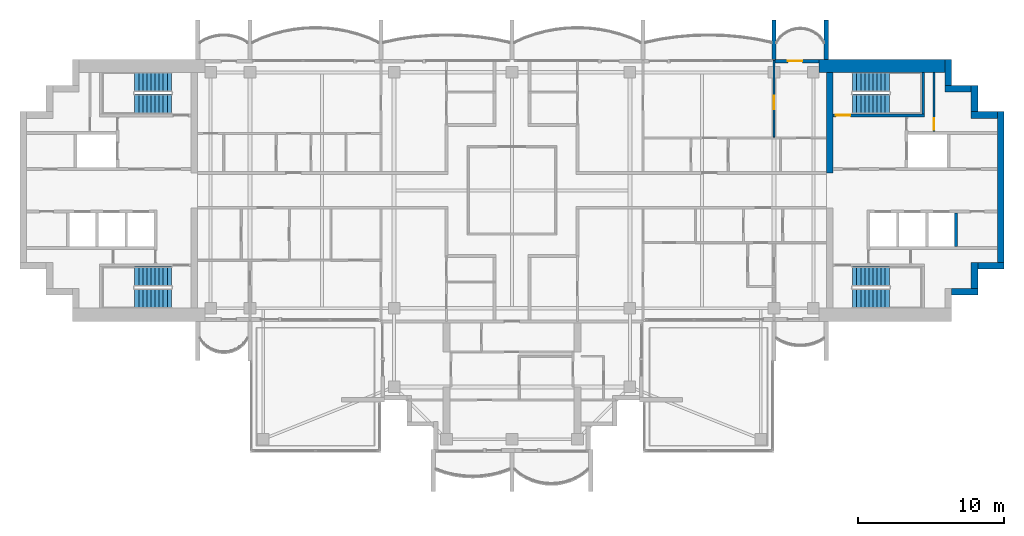
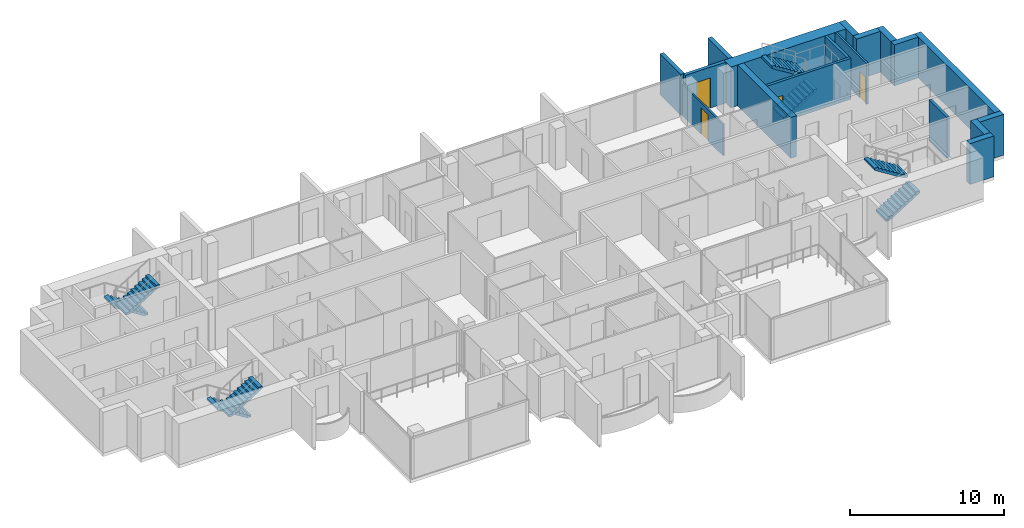
# One storey, part 12 of 16: 18 walls, 8 stair flights, 4 doors, 4 openings, 4 elements without a shape of their own.
"""IFC4 building model written with IfcOpenShell, lengths in metres."""

from ifc_helpers import new_model, si_unit, direction, frame, frame_2d, origin, place, context, subcontext, project, spatial, polyline, rectangle, outline, extrude, material, layer, layer_set, type_object, element, fill, aggregate, save


model = new_model("IFC4")

# Units and contexts
model_context = context("Model", 3, precision=1e-05, world=origin(), true_north=direction((0.0, 1.0)))
body_context = subcontext(model_context, "Body", "Model", "MODEL_VIEW")
ifc_project = project(units=[si_unit("LENGTHUNIT", "METRE"), si_unit("AREAUNIT", "SQUARE_METRE"), si_unit("VOLUMEUNIT", "CUBIC_METRE"), si_unit("PLANEANGLEUNIT", "RADIAN"), si_unit("MASSUNIT", "GRAM", prefix="KILO")], contexts=[model_context])

# Site, building, storey
site_placement = place(None, origin())
site = spatial("IfcSite", under=ifc_project, at=site_placement, CompositionType="ELEMENT")
building_placement = place(site_placement, origin())
building = spatial("IfcBuilding", under=site, at=building_placement, Name="Perihelion Cross Residences", CompositionType="ELEMENT")
storey_placement = place(building_placement, frame((0.0, 0.0, 257.0)))
storey = spatial("IfcBuildingStorey", under=building, at=storey_placement, Name="L65", CompositionType="ELEMENT", Elevation=257.0)

# Wall, opening, door
ifc_material_1 = material(Name="Concrete C30/37, bronze-clad", Category="concrete")
ifc_layer_1 = layer(ifc_material_1, 0.25)
ifc_layer_set_1 = layer_set([ifc_layer_1], Name="Bronze-clad pier wall 250")
wall_type_1 = type_object("IfcWallType", Name="Bronze-clad pier wall 250", PredefinedType="SOLIDWALL", material=ifc_layer_set_1)
wall_1_placement = place(storey_placement, frame((21.10009765625, 8.875, 0.0), z_axis=(0.0, 0.0, 1.0), x_axis=(-1.0, 0.0, 0.0)))
wall_1 = element("IfcWall", 1, at=wall_1_placement, inside=storey, type_object=wall_type_1, Name="Wall FW1 L65 east side north bay 1 pier", PredefinedType="SOLIDWALL", context=body_context, shape_type="SweptSolid", body=[
    extrude(rectangle(XDim=3.0400390625, YDim=0.25, at=frame_2d((1.52001953125, 0.0))), origin(), (0.0, 0.0, 1.0), 3.25),
])
opening_1_placement = place(wall_1_placement, frame((1.14990234375, 0.0, 0.0)))
opening_1 = element("IfcOpeningElement", 2, at=opening_1_placement, cuts=wall_1, Name="Opening L65.E01", PredefinedType="OPENING", context=body_context, shape_type="SweptSolid", body=[
    extrude(rectangle(XDim=1.0, YDim=2.39990234375, at=frame_2d((0.5, 1.199951171875))), frame((0.0, 0.135009765625, 0.0), z_axis=(0.0, -1.0, 0.0), x_axis=(1.0, 0.0, 0.0)), (0.0, 0.0, 1.0), 0.27001953125),
])
ifc_material_2 = material(Name="Bronze anodised aluminium, glazed", Category="aluminium")
door_type_1 = type_object("IfcDoorType", Name="Balcony door 1000 x 2400", OperationType="NOTDEFINED", PredefinedType="DOOR", material=ifc_material_2)
door_1_placement = place(opening_1_placement, origin())
door_1 = element("IfcDoor", 3, at=door_1_placement, inside=storey, type_object=door_type_1, Name="Door L65.E01 east side north bay 1", OperationType="SINGLE_SWING_LEFT", OverallHeight=2.39990234375, OverallWidth=1.0, PredefinedType="DOOR", context=body_context, shape_type="SweptSolid", body=[
    extrude(rectangle(XDim=1.0, YDim=2.39990234375, at=frame_2d((0.5, 1.199951171875))), frame((0.0, 0.02490234375, 0.0), z_axis=(0.0, -1.0, 0.0), x_axis=(1.0, 0.0, 0.0)), (0.0, 0.0, 1.0), 0.050048828125),
])
fill(opening_1, door_1)

# Walls
ifc_material_3 = material(Name="Concrete C60/75", Category="concrete")
ifc_layer_2 = layer(ifc_material_3, 0.449951171875)
ifc_layer_set_2 = layer_set([ifc_layer_2], Name="Core wall, inner 450")
wall_type_2 = type_object("IfcWallType", Name="Core wall, inner 450", PredefinedType="SHEAR", material=ifc_layer_set_2)
wall_2_placement = place(storey_placement, frame((21.824951171875, 1.199951171875, 0.0), z_axis=(0.0, 0.0, 1.0), x_axis=(0.0, 1.0, 0.0)))
element("IfcWall", 4, at=wall_2_placement, inside=storey, type_object=wall_type_2, Name="East core core wall, inner", PredefinedType="SHEAR", context=body_context, shape_type="SweptSolid", body=[
    extrude(rectangle(XDim=6.900146484375, YDim=0.449951171875, at=frame_2d((3.4501953125, 0.0))), origin(), (0.0, 0.0, 1.0), 3.25),
])
ifc_material_4 = material(Name="Concrete C60/75", Category="concrete")
ifc_layer_3 = layer(ifc_material_4, 0.449951171875)
ifc_layer_set_3 = layer_set([ifc_layer_3], Name="Core wall, outer 450")
wall_type_3 = type_object("IfcWallType", Name="Core wall, outer 450", PredefinedType="SHEAR", material=ifc_layer_set_3)
for number, where, z_axis, x_axis, name in (
    (5, (30.199951171875, -6.97509765625, 0.0), (0.0, 0.0, 1.0), (1.0, 0.0, 0.0), "East core core wall, outer"),
    (6, (31.77490234375, -6.75, 0.0), (0.0, 0.0, 1.0), (0.0, 1.0, 0.0), "East core core wall, outer"),
    (7, (32.0, -5.175048828125, 0.0), (0.0, 0.0, 1.0), (1.0, 0.0, 0.0), "East core core wall, outer"),
):
    element("IfcWall", number, at=place(storey_placement, frame(where, z_axis=z_axis, x_axis=x_axis)), inside=storey, type_object=wall_type_3, Name=name, PredefinedType="SHEAR", context=body_context, shape_type="SweptSolid", body=[
        extrude(rectangle(XDim=1.800048828125, YDim=0.449951171875, at=frame_2d((0.89990234375, 0.0))), origin(), (0.0, 0.0, 1.0), 3.25),
    ])
wall_3_placement = place(storey_placement, frame((33.574951171875, -4.949951171875, 0.0), z_axis=(0.0, 0.0, 1.0), x_axis=(0.0, 1.0, 0.0)))
element("IfcWall", 8, at=wall_3_placement, inside=storey, type_object=wall_type_3, Name="East core core wall, outer", PredefinedType="SHEAR", context=body_context, shape_type="SweptSolid", body=[
    extrude(rectangle(XDim=10.349853515625, YDim=0.449951171875, at=frame_2d((5.1748046875, 0.0))), origin(), (0.0, 0.0, 1.0), 3.25),
])
for number, where, z_axis, x_axis, name in (
    (9, (31.550048828125, 5.175048828125, 0.0), (0.0, 0.0, 1.0), (1.0, 0.0, 0.0), "East core core wall, outer"),
    (10, (31.77490234375, 5.39990234375, 0.0), (0.0, 0.0, 1.0), (0.0, 1.0, 0.0), "East core core wall, outer"),
    (11, (29.75, 6.97509765625, 0.0), (0.0, 0.0, 1.0), (1.0, 0.0, 0.0), "East core core wall, outer"),
    (12, (29.97509765625, 7.199951171875, 0.0), (0.0, 0.0, 1.0), (0.0, 1.0, 0.0), "East core core wall, outer"),
):
    element("IfcWall", number, at=place(storey_placement, frame(where, z_axis=z_axis, x_axis=x_axis)), inside=storey, type_object=wall_type_3, Name=name, PredefinedType="SHEAR", context=body_context, shape_type="SweptSolid", body=[
        extrude(rectangle(XDim=1.800048828125, YDim=0.449951171875, at=frame_2d((0.89990234375, 0.0))), origin(), (0.0, 0.0, 1.0), 3.25),
    ])
ifc_material_5 = material(Name="Concrete C60/75", Category="concrete")
ifc_layer_4 = layer(ifc_material_5, 0.89990234375)
ifc_layer_set_4 = layer_set([ifc_layer_4], Name="Core wall, outer 900")
wall_type_4 = type_object("IfcWallType", Name="Core wall, outer 900", PredefinedType="SHEAR", material=ifc_layer_set_4)
wall_4_placement = place(storey_placement, frame((21.10009765625, 8.550048828125, 0.0), z_axis=(0.0, 0.0, 1.0), x_axis=(1.0, 0.0, 0.0)))
element("IfcWall", 13, at=wall_4_placement, inside=storey, type_object=wall_type_4, Name="East core core wall, outer", PredefinedType="SHEAR", context=body_context, shape_type="SweptSolid", body=[
    extrude(rectangle(XDim=8.64990234375, YDim=0.89990234375, at=frame_2d((4.324951171875, 0.0))), origin(), (0.0, 0.0, 1.0), 3.25),
])

# Wall, opening, door
ifc_material_6 = material(Name="Plasterboard partition")
ifc_layer_5 = layer(ifc_material_6, 0.1201171875)
ifc_layer_set_5 = layer_set([ifc_layer_5], Name="Partition wall 120")
wall_type_5 = type_object("IfcWallType", Name="Partition wall 120", PredefinedType="PARTITIONING", material=ifc_layer_set_5)
wall_5_placement = place(storey_placement, frame((18.0, 8.919921875, 0.0), z_axis=(0.0, 0.0, 1.0), x_axis=(0.0, -1.0, 0.0)))
wall_5 = element("IfcWall", 14, at=wall_5_placement, inside=storey, type_object=wall_type_5, Name="Partition L65 W028", PredefinedType="PARTITIONING", context=body_context, shape_type="SweptSolid", body=[
    extrude(rectangle(XDim=5.260009765625, YDim=0.1201171875, at=frame_2d((2.6298828125, 0.0))), origin(), (0.0, 0.0, 1.0), 2.49609375),
])
opening_2_placement = place(wall_5_placement, frame((2.43994140625, 0.0, 0.0)))
opening_2 = element("IfcOpeningElement", 15, at=opening_2_placement, cuts=wall_5, Name="Opening L65.A08", PredefinedType="OPENING", context=body_context, shape_type="SweptSolid", body=[
    extrude(rectangle(XDim=0.89990234375, YDim=2.10009765625, at=frame_2d((0.449951171875, 1.050048828125))), frame((0.0, 0.070068359375, 0.0), z_axis=(0.0, -1.0, 0.0), x_axis=(1.0, 0.0, 0.0)), (0.0, 0.0, 1.0), 0.14013671875),
])
ifc_material_7 = material(Name="Timber door leaf", Category="wood")
door_type_2 = type_object("IfcDoorType", Name="Interior room door 900 x 2100", OperationType="SINGLE_SWING_LEFT", PredefinedType="DOOR", material=ifc_material_7)
door_2_placement = place(opening_2_placement, origin())
door_2 = element("IfcDoor", 16, at=door_2_placement, inside=storey, type_object=door_type_2, Name="Door L65.A08", OperationType="SINGLE_SWING_LEFT", OverallHeight=2.10009765625, OverallWidth=0.89990234375, PredefinedType="DOOR", context=body_context, shape_type="SweptSolid", body=[
    extrude(rectangle(XDim=0.89990234375, YDim=2.10009765625, at=frame_2d((0.449951171875, 1.050048828125))), frame((0.0, 0.02490234375, 0.0), z_axis=(0.0, -1.0, 0.0), x_axis=(1.0, 0.0, 0.0)), (0.0, 0.0, 1.0), 0.050048828125),
])
fill(opening_2, door_2)

# Walls
ifc_material_8 = material(Name="Precast concrete C50/60", Category="concrete")
ifc_layer_6 = layer(ifc_material_8, 0.300048828125)
ifc_layer_set_6 = layer_set([ifc_layer_6], Name="Precast concrete C50/60 blade wall 300")
wall_type_6 = type_object("IfcWallType", Name="Precast concrete C50/60 blade wall 300", PredefinedType="SOLIDWALL", material=ifc_layer_set_6)
for number, where, z_axis, x_axis, name in (
    (17, (18.0, 9.0, 0.0), (0.0, 0.0, 1.0), (0.0, 1.0, 0.0), "Wall BL1 L65 no. 11"),
    (18, (21.60009765625, 9.0, 0.0), (0.0, 0.0, 1.0), (0.0, 1.0, 0.0), "Wall BL1 L65 no. 13"),
):
    element("IfcWall", number, at=place(storey_placement, frame(where, z_axis=z_axis, x_axis=x_axis)), inside=storey, type_object=wall_type_6, Name=name, PredefinedType="SOLIDWALL", context=body_context, shape_type="SweptSolid", body=[
        extrude(rectangle(XDim=2.699951171875, YDim=0.300048828125, at=frame_2d((1.35009765625, 0.0))), origin(), (0.0, 0.0, 1.0), 3.25),
    ])

# Wall, opening, door
ifc_material_9 = material(Name="Fire-rated board on steel stud", Category="steel")
ifc_layer_7 = layer(ifc_material_9, 0.14990234375)
ifc_layer_set_7 = layer_set([ifc_layer_7], Name="Riser wall 150")
wall_type_7 = type_object("IfcWallType", Name="Riser wall 150", PredefinedType="PARTITIONING", material=ifc_layer_set_7)
wall_6_placement = place(storey_placement, frame((29.0, 4.050048828125, 0.0), z_axis=(0.0, 0.0, 1.0), x_axis=(0.0, 1.0, 0.0)))
wall_6 = element("IfcWall", 19, at=wall_6_placement, inside=storey, type_object=wall_type_7, Name="East core riser wall", PredefinedType="PARTITIONING", context=body_context, shape_type="SweptSolid", body=[
    extrude(rectangle(XDim=4.050048828125, YDim=0.14990234375, at=frame_2d((2.02490234375, 0.0))), origin(), (0.0, 0.0, 1.0), 3.25),
])
opening_3_placement = place(wall_6_placement, frame((0.10009765625, 0.0, 0.0)))
opening_3 = element("IfcOpeningElement", 20, at=opening_3_placement, cuts=wall_6, Name="Opening L65.C12", PredefinedType="OPENING", context=body_context, shape_type="SweptSolid", body=[
    extrude(rectangle(XDim=0.800048828125, YDim=2.10009765625, at=frame_2d((0.39990234375, 1.050048828125))), frame((0.0, 0.0849609375, 0.0), z_axis=(0.0, -1.0, 0.0), x_axis=(1.0, 0.0, 0.0)), (0.0, 0.0, 1.0), 0.169921875),
])
ifc_material_10 = material(Name="Steel, powder coated", Category="steel")
door_type_3 = type_object("IfcDoorType", Name="Riser door 800", OperationType="SINGLE_SWING_LEFT", PredefinedType="DOOR", material=ifc_material_10)
door_3_placement = place(opening_3_placement, origin())
door_3 = element("IfcDoor", 21, at=door_3_placement, inside=storey, type_object=door_type_3, Name="East core riser door", OperationType="SINGLE_SWING_LEFT", OverallHeight=2.10009765625, OverallWidth=0.800048828125, PredefinedType="DOOR", context=body_context, shape_type="SweptSolid", body=[
    extrude(rectangle(XDim=0.800048828125, YDim=2.10009765625, at=frame_2d((0.39990234375, 1.050048828125))), frame((0.0, 0.02490234375, 0.0), z_axis=(0.0, -1.0, 0.0), x_axis=(1.0, 0.0, 0.0)), (0.0, 0.0, 1.0), 0.050048828125),
])
fill(opening_3, door_3)

# Wall
ifc_material_11 = material(Name="Concrete C50/60", Category="concrete")
ifc_layer_8 = layer(ifc_material_11, 0.199951171875)
ifc_layer_set_8 = layer_set([ifc_layer_8], Name="Shaft wall 200")
wall_type_8 = type_object("IfcWallType", Name="Shaft wall 200", PredefinedType="SOLIDWALL", material=ifc_layer_set_8)
wall_7_placement = place(storey_placement, frame((30.5, -3.85009765625, 0.0), z_axis=(0.0, 0.0, 1.0), x_axis=(0.0, 1.0, 0.0)))
element("IfcWall", 22, at=wall_7_placement, inside=storey, type_object=wall_type_8, Name="East core shaft wall", PredefinedType="SOLIDWALL", context=body_context, shape_type="SweptSolid", body=[
    extrude(rectangle(XDim=2.300048828125, YDim=0.199951171875, at=frame_2d((1.14990234375, 0.0))), origin(), (0.0, 0.0, 1.0), 3.25),
])

# Wall, opening, door
ifc_material_12 = material(Name="Concrete C50/60", Category="concrete")
ifc_layer_9 = layer(ifc_material_12, 0.199951171875)
ifc_layer_set_9 = layer_set([ifc_layer_9], Name="Stair wall 200")
wall_type_9 = type_object("IfcWallType", Name="Stair wall 200", PredefinedType="SOLIDWALL", material=ifc_layer_set_9)
wall_8_placement = place(storey_placement, frame((22.050048828125, 5.14990234375, 0.0), z_axis=(0.0, 0.0, 1.0), x_axis=(1.0, 0.0, 0.0)))
wall_8 = element("IfcWall", 23, at=wall_8_placement, inside=storey, type_object=wall_type_9, Name="East core stair wall", PredefinedType="SOLIDWALL", context=body_context, shape_type="SweptSolid", body=[
    extrude(rectangle(XDim=6.300048828125, YDim=0.199951171875, at=frame_2d((3.14990234375, 0.0))), origin(), (0.0, 0.0, 1.0), 3.25),
])
opening_4_placement = place(wall_8_placement, frame((0.199951171875, 0.0, 0.0)))
opening_4 = element("IfcOpeningElement", 24, at=opening_4_placement, cuts=wall_8, Name="Opening L65.C06", PredefinedType="OPENING", context=body_context, shape_type="SweptSolid", body=[
    extrude(rectangle(XDim=1.0, YDim=2.10009765625, at=frame_2d((0.5, 1.050048828125))), frame((0.0, 0.10986328125, 0.0), z_axis=(0.0, -1.0, 0.0), x_axis=(1.0, 0.0, 0.0)), (0.0, 0.0, 1.0), 0.219970703125),
])
ifc_material_13 = material(Name="Steel, powder coated", Category="steel")
door_type_4 = type_object("IfcDoorType", Name="Stair door 1000", OperationType="SINGLE_SWING_LEFT", PredefinedType="DOOR", material=ifc_material_13)
door_4_placement = place(opening_4_placement, origin())
door_4 = element("IfcDoor", 25, at=door_4_placement, inside=storey, type_object=door_type_4, Name="East core stair door", OperationType="SINGLE_SWING_LEFT", OverallHeight=2.10009765625, OverallWidth=1.0, PredefinedType="DOOR", context=body_context, shape_type="SweptSolid", body=[
    extrude(rectangle(XDim=1.0, YDim=2.10009765625, at=frame_2d((0.5, 1.050048828125))), frame((0.0, 0.02490234375, 0.0), z_axis=(0.0, -1.0, 0.0), x_axis=(1.0, 0.0, 0.0)), (0.0, 0.0, 1.0), 0.050048828125),
])
fill(opening_4, door_4)

# Wall
wall_9_placement = place(storey_placement, frame((28.25, 5.25, 0.0), z_axis=(0.0, 0.0, 1.0), x_axis=(0.0, 1.0, 0.0)))
element("IfcWall", 26, at=wall_9_placement, inside=storey, type_object=wall_type_9, Name="East core stair wall", PredefinedType="SOLIDWALL", context=body_context, shape_type="SweptSolid", body=[
    extrude(rectangle(XDim=2.85009765625, YDim=0.199951171875, at=frame_2d((1.425048828125, 0.0))), origin(), (0.0, 0.0, 1.0), 3.25),
])

# Stair, stair flights
ifc_material_14 = material(Name="Concrete C40/50", Category="concrete")
stair_type = type_object("IfcStairType", Name="Exit stair, half-turn", PredefinedType="HALF_TURN_STAIR", material=ifc_material_14)
stair_1_placement = place(storey_placement, origin())
stair_1 = element("IfcStair", 27, at=stair_1_placement, inside=storey, type_object=stair_type, Name="L65 East core exit stair 1", PredefinedType="HALF_TURN_STAIR")
ifc_material_15 = material(Name="Concrete C40/50", Category="concrete")
stair_flight_type = type_object("IfcStairFlightType", Name="Exit stair flight", PredefinedType="STRAIGHT", material=ifc_material_15)
stair_flight_1_placement = place(storey_placement, frame((23.39990234375, 5.925048828125, 0.0), z_axis=(0.0, 0.0, 1.0), x_axis=(1.0, 0.0, 0.0)))
stair_flight_1 = element("IfcStairFlight", 28, at=stair_flight_1_placement, type_object=stair_flight_type, Name="ST-E1 flight 1", NumberOfRisers=10, NumberOfTreads=9, PredefinedType="STRAIGHT", RiserHeight=0.175, TreadLength=0.28, context=body_context, shape_type="SweptSolid", body=[
    extrude(outline(polyline([(0.0, 0.0), (0.0, 0.175048828125), (0.280029296875, 0.175048828125), (0.280029296875, 0.35009765625), (0.56005859375, 0.35009765625), (0.56005859375, 0.52490234375), (0.840087890625, 0.52490234375), (0.840087890625, 0.699951171875), (1.1201171875, 0.699951171875), (1.1201171875, 0.875), (1.39990234375, 0.875), (1.39990234375, 1.050048828125), (1.679931640625, 1.050048828125), (1.679931640625, 1.22509765625), (1.9599609375, 1.22509765625), (1.9599609375, 1.39990234375), (2.239990234375, 1.39990234375), (2.239990234375, 1.574951171875), (2.52001953125, 1.574951171875), (2.52001953125, 1.75), (2.52001953125, 1.398193359375), (0.28271484375, 0.0), (0.0, 0.0)])), frame((0.0, 0.675048828125, 0.0), z_axis=(0.0, -1.0, 0.0), x_axis=(1.0, 0.0, 0.0)), (0.0, 0.0, 1.0), 1.35009765625),
])
stair_flight_2_placement = place(storey_placement, frame((25.919921875, 7.425048828125, 1.75), z_axis=(0.0, 0.0, 1.0), x_axis=(-1.0, 0.0, 0.0)))
stair_flight_2 = element("IfcStairFlight", 29, at=stair_flight_2_placement, type_object=stair_flight_type, Name="ST-E1 flight 2", NumberOfRisers=10, NumberOfTreads=9, PredefinedType="STRAIGHT", RiserHeight=0.175, TreadLength=0.28, context=body_context, shape_type="SweptSolid", body=[
    extrude(outline(polyline([(0.0, 0.0), (0.0, 0.175048828125), (0.280029296875, 0.175048828125), (0.280029296875, 0.35009765625), (0.56005859375, 0.35009765625), (0.56005859375, 0.52490234375), (0.840087890625, 0.52490234375), (0.840087890625, 0.699951171875), (1.1201171875, 0.699951171875), (1.1201171875, 0.875), (1.39990234375, 0.875), (1.39990234375, 1.050048828125), (1.679931640625, 1.050048828125), (1.679931640625, 1.22509765625), (1.9599609375, 1.22509765625), (1.9599609375, 1.39990234375), (2.239990234375, 1.39990234375), (2.239990234375, 1.574951171875), (2.52001953125, 1.574951171875), (2.52001953125, 1.75), (2.52001953125, 1.398193359375), (0.28271484375, 0.0), (0.0, 0.0)])), frame((0.0, 0.675048828125, 0.0), z_axis=(0.0, -1.0, 0.0), x_axis=(1.0, 0.0, 0.0)), (0.0, 0.0, 1.0), 1.35009765625),
])
aggregate(stair_1, [stair_flight_1, stair_flight_2])

stair_2_placement = place(storey_placement, origin())
stair_2 = element("IfcStair", 30, at=stair_2_placement, inside=storey, type_object=stair_type, Name="L65 East core exit stair 2", PredefinedType="HALF_TURN_STAIR")
stair_flight_3_placement = place(storey_placement, frame((23.39990234375, -7.425048828125, 0.0), z_axis=(0.0, 0.0, 1.0), x_axis=(1.0, 0.0, 0.0)))
stair_flight_3 = element("IfcStairFlight", 31, at=stair_flight_3_placement, type_object=stair_flight_type, Name="ST-E2 flight 1", NumberOfRisers=10, NumberOfTreads=9, PredefinedType="STRAIGHT", RiserHeight=0.175, TreadLength=0.28, context=body_context, shape_type="SweptSolid", body=[
    extrude(outline(polyline([(0.0, 0.0), (0.0, 0.175048828125), (0.280029296875, 0.175048828125), (0.280029296875, 0.35009765625), (0.56005859375, 0.35009765625), (0.56005859375, 0.52490234375), (0.840087890625, 0.52490234375), (0.840087890625, 0.699951171875), (1.1201171875, 0.699951171875), (1.1201171875, 0.875), (1.39990234375, 0.875), (1.39990234375, 1.050048828125), (1.679931640625, 1.050048828125), (1.679931640625, 1.22509765625), (1.9599609375, 1.22509765625), (1.9599609375, 1.39990234375), (2.239990234375, 1.39990234375), (2.239990234375, 1.574951171875), (2.52001953125, 1.574951171875), (2.52001953125, 1.75), (2.52001953125, 1.398193359375), (0.28271484375, 0.0), (0.0, 0.0)])), frame((0.0, 0.675048828125, 0.0), z_axis=(0.0, -1.0, 0.0), x_axis=(1.0, 0.0, 0.0)), (0.0, 0.0, 1.0), 1.35009765625),
])
stair_flight_4_placement = place(storey_placement, frame((25.919921875, -5.925048828125, 1.75), z_axis=(0.0, 0.0, 1.0), x_axis=(-1.0, 0.0, 0.0)))
stair_flight_4 = element("IfcStairFlight", 32, at=stair_flight_4_placement, type_object=stair_flight_type, Name="ST-E2 flight 2", NumberOfRisers=10, NumberOfTreads=9, PredefinedType="STRAIGHT", RiserHeight=0.175, TreadLength=0.28, context=body_context, shape_type="SweptSolid", body=[
    extrude(outline(polyline([(0.0, 0.0), (0.0, 0.175048828125), (0.280029296875, 0.175048828125), (0.280029296875, 0.35009765625), (0.56005859375, 0.35009765625), (0.56005859375, 0.52490234375), (0.840087890625, 0.52490234375), (0.840087890625, 0.699951171875), (1.1201171875, 0.699951171875), (1.1201171875, 0.875), (1.39990234375, 0.875), (1.39990234375, 1.050048828125), (1.679931640625, 1.050048828125), (1.679931640625, 1.22509765625), (1.9599609375, 1.22509765625), (1.9599609375, 1.39990234375), (2.239990234375, 1.39990234375), (2.239990234375, 1.574951171875), (2.52001953125, 1.574951171875), (2.52001953125, 1.75), (2.52001953125, 1.398193359375), (0.28271484375, 0.0), (0.0, 0.0)])), frame((0.0, 0.675048828125, 0.0), z_axis=(0.0, -1.0, 0.0), x_axis=(1.0, 0.0, 0.0)), (0.0, 0.0, 1.0), 1.35009765625),
])
aggregate(stair_2, [stair_flight_3, stair_flight_4])

stair_3_placement = place(storey_placement, origin())
stair_3 = element("IfcStair", 33, at=stair_3_placement, inside=storey, type_object=stair_type, Name="L65 West core exit stair 1", PredefinedType="HALF_TURN_STAIR")
stair_flight_5_placement = place(storey_placement, frame((-23.39990234375, 7.425048828125, 0.0), z_axis=(0.0, 0.0, 1.0), x_axis=(-1.0, 0.0, 0.0)))
stair_flight_5 = element("IfcStairFlight", 34, at=stair_flight_5_placement, type_object=stair_flight_type, Name="ST-W1 flight 1", NumberOfRisers=10, NumberOfTreads=9, PredefinedType="STRAIGHT", RiserHeight=0.175, TreadLength=0.28, context=body_context, shape_type="SweptSolid", body=[
    extrude(outline(polyline([(0.0, 0.0), (0.0, 0.175048828125), (0.280029296875, 0.175048828125), (0.280029296875, 0.35009765625), (0.56005859375, 0.35009765625), (0.56005859375, 0.52490234375), (0.840087890625, 0.52490234375), (0.840087890625, 0.699951171875), (1.1201171875, 0.699951171875), (1.1201171875, 0.875), (1.39990234375, 0.875), (1.39990234375, 1.050048828125), (1.679931640625, 1.050048828125), (1.679931640625, 1.22509765625), (1.9599609375, 1.22509765625), (1.9599609375, 1.39990234375), (2.239990234375, 1.39990234375), (2.239990234375, 1.574951171875), (2.52001953125, 1.574951171875), (2.52001953125, 1.75), (2.52001953125, 1.398193359375), (0.28271484375, 0.0), (0.0, 0.0)])), frame((0.0, 0.675048828125, 0.0), z_axis=(0.0, -1.0, 0.0), x_axis=(1.0, 0.0, 0.0)), (0.0, 0.0, 1.0), 1.35009765625),
])
stair_flight_6_placement = place(storey_placement, frame((-25.919921875, 5.925048828125, 1.75), z_axis=(0.0, 0.0, 1.0), x_axis=(1.0, 0.0, 0.0)))
stair_flight_6 = element("IfcStairFlight", 35, at=stair_flight_6_placement, type_object=stair_flight_type, Name="ST-W1 flight 2", NumberOfRisers=10, NumberOfTreads=9, PredefinedType="STRAIGHT", RiserHeight=0.175, TreadLength=0.28, context=body_context, shape_type="SweptSolid", body=[
    extrude(outline(polyline([(0.0, 0.0), (0.0, 0.175048828125), (0.280029296875, 0.175048828125), (0.280029296875, 0.35009765625), (0.56005859375, 0.35009765625), (0.56005859375, 0.52490234375), (0.840087890625, 0.52490234375), (0.840087890625, 0.699951171875), (1.1201171875, 0.699951171875), (1.1201171875, 0.875), (1.39990234375, 0.875), (1.39990234375, 1.050048828125), (1.679931640625, 1.050048828125), (1.679931640625, 1.22509765625), (1.9599609375, 1.22509765625), (1.9599609375, 1.39990234375), (2.239990234375, 1.39990234375), (2.239990234375, 1.574951171875), (2.52001953125, 1.574951171875), (2.52001953125, 1.75), (2.52001953125, 1.398193359375), (0.28271484375, 0.0), (0.0, 0.0)])), frame((0.0, 0.675048828125, 0.0), z_axis=(0.0, -1.0, 0.0), x_axis=(1.0, 0.0, 0.0)), (0.0, 0.0, 1.0), 1.35009765625),
])
aggregate(stair_3, [stair_flight_5, stair_flight_6])

stair_4_placement = place(storey_placement, origin())
stair_4 = element("IfcStair", 36, at=stair_4_placement, inside=storey, type_object=stair_type, Name="L65 West core exit stair 2", PredefinedType="HALF_TURN_STAIR")
stair_flight_7_placement = place(storey_placement, frame((-23.39990234375, -5.925048828125, 0.0), z_axis=(0.0, 0.0, 1.0), x_axis=(-1.0, 0.0, 0.0)))
stair_flight_7 = element("IfcStairFlight", 37, at=stair_flight_7_placement, type_object=stair_flight_type, Name="ST-W2 flight 1", NumberOfRisers=10, NumberOfTreads=9, PredefinedType="STRAIGHT", RiserHeight=0.175, TreadLength=0.28, context=body_context, shape_type="SweptSolid", body=[
    extrude(outline(polyline([(0.0, 0.0), (0.0, 0.175048828125), (0.280029296875, 0.175048828125), (0.280029296875, 0.35009765625), (0.56005859375, 0.35009765625), (0.56005859375, 0.52490234375), (0.840087890625, 0.52490234375), (0.840087890625, 0.699951171875), (1.1201171875, 0.699951171875), (1.1201171875, 0.875), (1.39990234375, 0.875), (1.39990234375, 1.050048828125), (1.679931640625, 1.050048828125), (1.679931640625, 1.22509765625), (1.9599609375, 1.22509765625), (1.9599609375, 1.39990234375), (2.239990234375, 1.39990234375), (2.239990234375, 1.574951171875), (2.52001953125, 1.574951171875), (2.52001953125, 1.75), (2.52001953125, 1.398193359375), (0.28271484375, 0.0), (0.0, 0.0)])), frame((0.0, 0.675048828125, 0.0), z_axis=(0.0, -1.0, 0.0), x_axis=(1.0, 0.0, 0.0)), (0.0, 0.0, 1.0), 1.35009765625),
])
stair_flight_8_placement = place(storey_placement, frame((-25.919921875, -7.425048828125, 1.75), z_axis=(0.0, 0.0, 1.0), x_axis=(1.0, 0.0, 0.0)))
stair_flight_8 = element("IfcStairFlight", 38, at=stair_flight_8_placement, type_object=stair_flight_type, Name="ST-W2 flight 2", NumberOfRisers=10, NumberOfTreads=9, PredefinedType="STRAIGHT", RiserHeight=0.175, TreadLength=0.28, context=body_context, shape_type="SweptSolid", body=[
    extrude(outline(polyline([(0.0, 0.0), (0.0, 0.175048828125), (0.280029296875, 0.175048828125), (0.280029296875, 0.35009765625), (0.56005859375, 0.35009765625), (0.56005859375, 0.52490234375), (0.840087890625, 0.52490234375), (0.840087890625, 0.699951171875), (1.1201171875, 0.699951171875), (1.1201171875, 0.875), (1.39990234375, 0.875), (1.39990234375, 1.050048828125), (1.679931640625, 1.050048828125), (1.679931640625, 1.22509765625), (1.9599609375, 1.22509765625), (1.9599609375, 1.39990234375), (2.239990234375, 1.39990234375), (2.239990234375, 1.574951171875), (2.52001953125, 1.574951171875), (2.52001953125, 1.75), (2.52001953125, 1.398193359375), (0.28271484375, 0.0), (0.0, 0.0)])), frame((0.0, 0.675048828125, 0.0), z_axis=(0.0, -1.0, 0.0), x_axis=(1.0, 0.0, 0.0)), (0.0, 0.0, 1.0), 1.35009765625),
])
aggregate(stair_4, [stair_flight_7, stair_flight_8])

save(model, "model.ifc")
